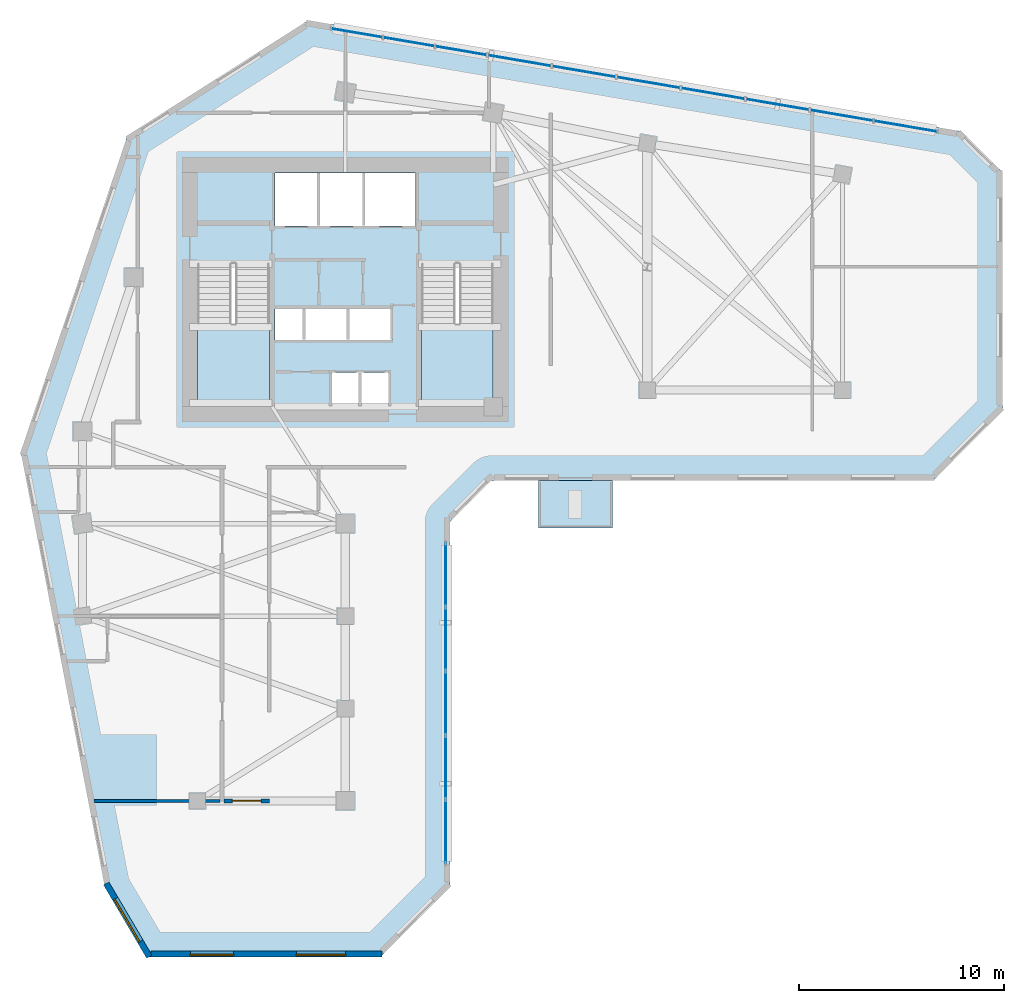
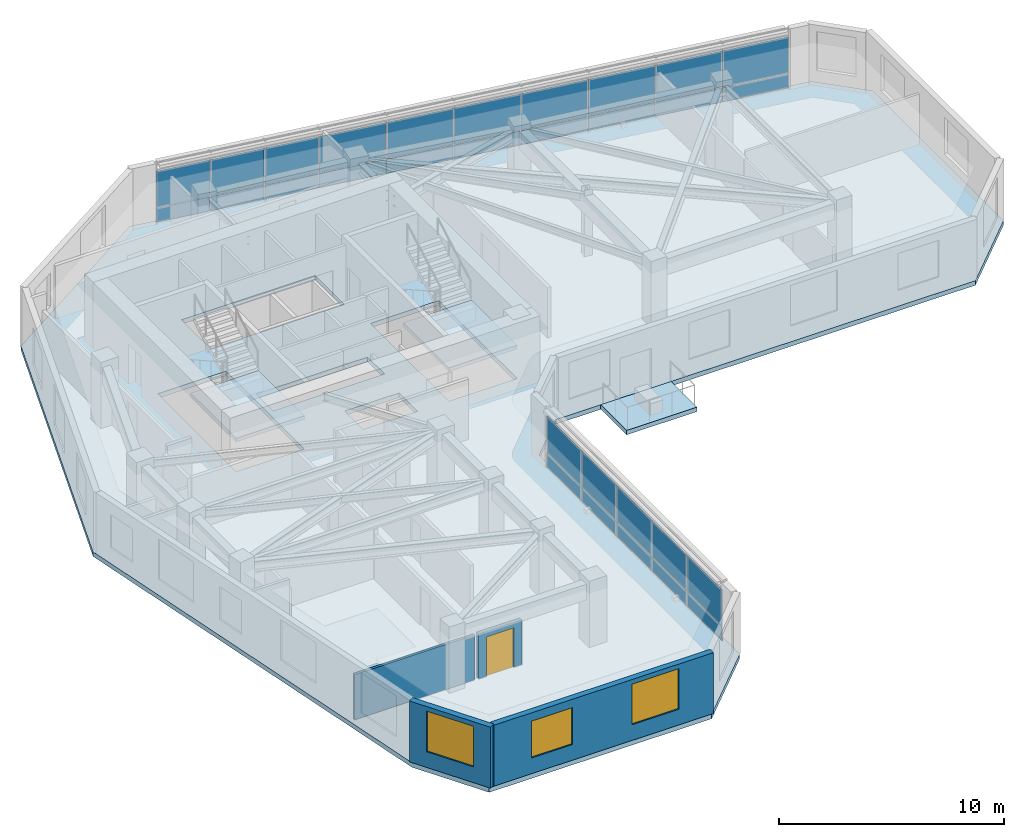
# One storey, part 4 of 12: 30 plates, 4 slabs, 4 walls, 3 windows, 1 door, 4 openings, 4 elements without a shape of their own.
"""IFC4 building model written with IfcOpenShell, lengths in metres."""

from ifc_helpers import new_model, si_unit, direction, frame, frame_2d, origin, place, context, subcontext, project, spatial, polyline, rectangle, outline, extrude, source, transform, mapped, material, layer, layer_set, type_object, element, fill, aggregate, save


model = new_model("IFC4")

# Units and contexts
model_context = context("Model", 3, precision=1e-05, world=origin(), true_north=direction((0.0, 1.0)))
body_context = subcontext(model_context, "Body", "Model", "MODEL_VIEW")
ifc_project = project(units=[si_unit("LENGTHUNIT", "METRE"), si_unit("AREAUNIT", "SQUARE_METRE"), si_unit("VOLUMEUNIT", "CUBIC_METRE"), si_unit("PLANEANGLEUNIT", "RADIAN"), si_unit("MASSUNIT", "GRAM", prefix="KILO")], contexts=[model_context])

# Site, building, storey
site_placement = place(None, origin())
site = spatial("IfcSite", under=ifc_project, at=site_placement, CompositionType="ELEMENT")
building_placement = place(site_placement, origin())
building = spatial("IfcBuilding", under=site, at=building_placement, Name="Calvemar Wedge Station Tower", CompositionType="ELEMENT")
storey_placement = place(building_placement, frame((0.0, 0.0, 135.800048828125)))
storey = spatial("IfcBuildingStorey", under=building, at=storey_placement, Name="L33", CompositionType="ELEMENT", Elevation=135.800048828125)

# Curtain wall, plates
ifc_material_1 = material(Name="Anodised aluminium 6063-T6", Category="aluminium")
curtain_wall_type = type_object("IfcCurtainWallType", Name="CW2", PredefinedType="NOTDEFINED", material=ifc_material_1)
curtain_wall_1_placement = place(storey_placement, origin())
curtain_wall_1 = element("IfcCurtainWall", 1, at=curtain_wall_1_placement, inside=storey, type_object=curtain_wall_type, Name="Storey L33 CW2 Recessed Unitised Curtain Wall 4", PredefinedType="NOTDEFINED")
ifc_material_2 = material(Name="Low-E laminated insulated glass", Category="glass")
ifc_layer_1 = layer(ifc_material_2, 0.028076171875)
ifc_layer_set_1 = layer_set([ifc_layer_1], Name="Low-E laminated insulated glass")
plate_type_1 = type_object("IfcPlateType", Name="CW2-GLZ", PredefinedType="CURTAIN_PANEL", material=ifc_layer_set_1)
plate_1_placement = place(storey_placement, frame((28.68603515625, 11.97998046875, 0.869873046875), z_axis=(0.0, 0.0, 1.0), x_axis=(0.0, 1.0, 0.0)))
plate_1 = element("IfcPlate", 2, at=plate_1_placement, type_object=plate_type_1, Name="CW2 vision glass panel 1", PredefinedType="CURTAIN_PANEL", context=body_context, shape_type="SweptSolid", body=[
    extrude(rectangle(XDim=3.08251953125, YDim=0.028076171875, at=frame_2d((1.541259765625, 0.0))), origin(), (0.0, 0.0, 1.0), 1.9599609375),
])
plate_2_placement = place(storey_placement, frame((28.68603515625, 15.098388671875, 0.869873046875), z_axis=(0.0, 0.0, 1.0), x_axis=(0.0, 1.0, 0.0)))
plate_2 = element("IfcPlate", 3, at=plate_2_placement, type_object=plate_type_1, Name="CW2 vision glass panel 2", PredefinedType="CURTAIN_PANEL", context=body_context, shape_type="SweptSolid", body=[
    extrude(rectangle(XDim=3.08251953125, YDim=0.028076171875, at=frame_2d((1.541259765625, 0.0))), origin(), (0.0, 0.0, 1.0), 1.9599609375),
])
plate_3_placement = place(storey_placement, frame((28.68603515625, 18.216796875, 0.869873046875), z_axis=(0.0, 0.0, 1.0), x_axis=(0.0, 1.0, 0.0)))
plate_3 = element("IfcPlate", 4, at=plate_3_placement, type_object=plate_type_1, Name="CW2 vision glass panel 3", PredefinedType="CURTAIN_PANEL", context=body_context, shape_type="SweptSolid", body=[
    extrude(rectangle(XDim=3.08251953125, YDim=0.028076171875, at=frame_2d((1.541259765625, 0.0))), origin(), (0.0, 0.0, 1.0), 1.9599609375),
])
plate_4_placement = place(storey_placement, frame((28.68603515625, 21.335205078125, 0.869873046875), z_axis=(0.0, 0.0, 1.0), x_axis=(0.0, 1.0, 0.0)))
plate_4 = element("IfcPlate", 5, at=plate_4_placement, type_object=plate_type_1, Name="CW2 vision glass panel 4", PredefinedType="CURTAIN_PANEL", context=body_context, shape_type="SweptSolid", body=[
    extrude(rectangle(XDim=3.08251953125, YDim=0.028076171875, at=frame_2d((1.541259765625, 0.0))), origin(), (0.0, 0.0, 1.0), 1.9599609375),
])
plate_5_placement = place(storey_placement, frame((28.68603515625, 24.45361328125, 0.869873046875), z_axis=(0.0, 0.0, 1.0), x_axis=(0.0, 1.0, 0.0)))
plate_5 = element("IfcPlate", 6, at=plate_5_placement, type_object=plate_type_1, Name="CW2 vision glass panel 5", PredefinedType="CURTAIN_PANEL", context=body_context, shape_type="SweptSolid", body=[
    extrude(rectangle(XDim=3.08251953125, YDim=0.028076171875, at=frame_2d((1.541259765625, 0.0))), origin(), (0.0, 0.0, 1.0), 1.9599609375),
])

curtain_wall_2_placement = place(storey_placement, origin())
curtain_wall_2 = element("IfcCurtainWall", 7, at=curtain_wall_2_placement, inside=storey, type_object=curtain_wall_type, Name="Storey L33 CW2 Recessed Unitised Curtain Wall 10", PredefinedType="NOTDEFINED")
plate_6_placement = place(storey_placement, frame((52.615478515625, 47.580322265625, 0.869873046875), z_axis=(0.0, 0.0, 1.0), x_axis=(-0.985834651401, 0.167720124306, 0.0)))
plate_6 = element("IfcPlate", 8, at=plate_6_placement, type_object=plate_type_1, Name="CW2 vision glass panel 1", PredefinedType="CURTAIN_PANEL", context=body_context, shape_type="SweptSolid", body=[
    extrude(rectangle(XDim=3.122314453125, YDim=0.028076171875, at=frame_2d((1.56103515625, 0.0))), origin(), (0.0, 0.0, 1.0), 1.9599609375),
])
plate_7_placement = place(storey_placement, frame((49.501953125, 48.10986328125, 0.869873046875), z_axis=(0.0, 0.0, 1.0), x_axis=(-0.9858453793, 0.167657055066, 0.0)))
plate_7 = element("IfcPlate", 9, at=plate_7_placement, type_object=plate_type_1, Name="CW2 vision glass panel 2", PredefinedType="CURTAIN_PANEL", context=body_context, shape_type="SweptSolid", body=[
    extrude(rectangle(XDim=3.1220703125, YDim=0.028076171875, at=frame_2d((1.56103515625, 0.0))), origin(), (0.0, 0.0, 1.0), 1.9599609375),
])
plate_8_placement = place(storey_placement, frame((46.388427734375, 48.639404296875, 0.869873046875), z_axis=(0.0, 0.0, 1.0), x_axis=(-0.985850081306, 0.167629404309, 0.0)))
plate_8 = element("IfcPlate", 10, at=plate_8_placement, type_object=plate_type_1, Name="CW2 vision glass panel 3", PredefinedType="CURTAIN_PANEL", context=body_context, shape_type="SweptSolid", body=[
    extrude(rectangle(XDim=3.148681640625, YDim=0.028076171875, at=frame_2d((1.57421875, 0.0))), origin(), (0.0, 0.0, 1.0), 1.9599609375),
])
plate_9_placement = place(storey_placement, frame((43.248779296875, 49.17333984375, 0.869873046875), z_axis=(0.0, 0.0, 1.0), x_axis=(-0.985835084584, 0.167717578099, 0.0)))
plate_9 = element("IfcPlate", 11, at=plate_9_placement, type_object=plate_type_1, Name="CW2 vision glass panel 4", PredefinedType="CURTAIN_PANEL", context=body_context, shape_type="SweptSolid", body=[
    extrude(rectangle(XDim=3.148681640625, YDim=0.028076171875, at=frame_2d((1.57421875, 0.0))), origin(), (0.0, 0.0, 1.0), 1.9599609375),
])
plate_10_placement = place(storey_placement, frame((40.109130859375, 49.707275390625, 0.869873046875), z_axis=(0.0, 0.0, 1.0), x_axis=(-0.985847902369, 0.167642218414, 0.0)))
plate_10 = element("IfcPlate", 12, at=plate_10_placement, type_object=plate_type_1, Name="CW2 vision glass panel 5", PredefinedType="CURTAIN_PANEL", context=body_context, shape_type="SweptSolid", body=[
    extrude(rectangle(XDim=3.148681640625, YDim=0.028076171875, at=frame_2d((1.57421875, 0.0))), origin(), (0.0, 0.0, 1.0), 1.9599609375),
])
plate_11_placement = place(storey_placement, frame((36.969482421875, 50.2412109375, 0.869873046875), z_axis=(0.0, 0.0, 1.0), x_axis=(-0.985847902369, 0.167642218414, 0.0)))
plate_11 = element("IfcPlate", 13, at=plate_11_placement, type_object=plate_type_1, Name="CW2 vision glass panel 6", PredefinedType="CURTAIN_PANEL", context=body_context, shape_type="SweptSolid", body=[
    extrude(rectangle(XDim=3.148681640625, YDim=0.028076171875, at=frame_2d((1.57421875, 0.0))), origin(), (0.0, 0.0, 1.0), 1.9599609375),
])
plate_12_placement = place(storey_placement, frame((33.830078125, 50.775146484375, 0.869873046875), z_axis=(0.0, 0.0, 1.0), x_axis=(-0.985850081306, 0.167629404309, 0.0)))
plate_12 = element("IfcPlate", 14, at=plate_12_placement, type_object=plate_type_1, Name="CW2 vision glass panel 7", PredefinedType="CURTAIN_PANEL", context=body_context, shape_type="SweptSolid", body=[
    extrude(rectangle(XDim=3.148681640625, YDim=0.028076171875, at=frame_2d((1.57421875, 0.0))), origin(), (0.0, 0.0, 1.0), 1.9599609375),
])
plate_13_placement = place(storey_placement, frame((30.6904296875, 51.30908203125, 0.869873046875), z_axis=(0.0, 0.0, 1.0), x_axis=(-0.985852344868, 0.167616091467, 0.0)))
plate_13 = element("IfcPlate", 15, at=plate_13_placement, type_object=plate_type_1, Name="CW2 vision glass panel 8", PredefinedType="CURTAIN_PANEL", context=body_context, shape_type="SweptSolid", body=[
    extrude(rectangle(XDim=2.534423828125, YDim=0.028076171875, at=frame_2d((1.26708984375, 0.0))), origin(), (0.0, 0.0, 1.0), 1.9599609375),
])
plate_14_placement = place(storey_placement, frame((28.156494140625, 51.739990234375, 0.869873046875), z_axis=(0.0, 0.0, 1.0), x_axis=(-0.985852344868, 0.167616091467, 0.0)))
plate_14 = element("IfcPlate", 16, at=plate_14_placement, type_object=plate_type_1, Name="CW2 vision glass panel 9", PredefinedType="CURTAIN_PANEL", context=body_context, shape_type="SweptSolid", body=[
    extrude(rectangle(XDim=2.534423828125, YDim=0.028076171875, at=frame_2d((1.26708984375, 0.0))), origin(), (0.0, 0.0, 1.0), 1.9599609375),
])
plate_15_placement = place(storey_placement, frame((25.622314453125, 52.1708984375, 0.869873046875), z_axis=(0.0, 0.0, 1.0), x_axis=(-0.985833712673, 0.16772564192, 0.0)))
plate_15 = element("IfcPlate", 17, at=plate_15_placement, type_object=plate_type_1, Name="CW2 vision glass panel 10", PredefinedType="CURTAIN_PANEL", context=body_context, shape_type="SweptSolid", body=[
    extrude(rectangle(XDim=2.5341796875, YDim=0.028076171875, at=frame_2d((1.26708984375, 0.0))), origin(), (0.0, 0.0, 1.0), 1.9599609375),
])

# Plate
ifc_material_3 = material(Name="Oxidized bronze aluminium spandrel panel 5005-H24", Category="aluminium")
ifc_layer_2 = layer(ifc_material_3, 0.0400390625)
ifc_layer_set_2 = layer_set([ifc_layer_2], Name="Oxidized bronze aluminium spandrel panel 5005-H24")
plate_type_2 = type_object("IfcPlateType", Name="CW2-SPD", PredefinedType="SHEET", material=ifc_layer_set_2)
plate_16_placement = place(storey_placement, frame((28.68603515625, 11.97998046875, 0.079833984375), z_axis=(0.0, 0.0, 1.0), x_axis=(0.0, 1.0, 0.0)))
plate_16 = element("IfcPlate", 18, at=plate_16_placement, type_object=plate_type_2, Name="CW2 bronze spandrel panel 1", PredefinedType="SHEET", context=body_context, shape_type="SweptSolid", body=[
    extrude(rectangle(XDim=3.08251953125, YDim=0.0400390625, at=frame_2d((1.541259765625, 0.0))), origin(), (0.0, 0.0, 1.0), 0.75),
])

plate_17_placement = place(storey_placement, frame((28.68603515625, 15.098388671875, 0.079833984375), z_axis=(0.0, 0.0, 1.0), x_axis=(0.0, 1.0, 0.0)))
plate_17 = element("IfcPlate", 19, at=plate_17_placement, type_object=plate_type_2, Name="CW2 bronze spandrel panel 2", PredefinedType="SHEET", context=body_context, shape_type="SweptSolid", body=[
    extrude(rectangle(XDim=3.08251953125, YDim=0.0400390625, at=frame_2d((1.541259765625, 0.0))), origin(), (0.0, 0.0, 1.0), 0.75),
])

plate_18_placement = place(storey_placement, frame((28.68603515625, 18.216796875, 0.079833984375), z_axis=(0.0, 0.0, 1.0), x_axis=(0.0, 1.0, 0.0)))
plate_18 = element("IfcPlate", 20, at=plate_18_placement, type_object=plate_type_2, Name="CW2 bronze spandrel panel 3", PredefinedType="SHEET", context=body_context, shape_type="SweptSolid", body=[
    extrude(rectangle(XDim=3.08251953125, YDim=0.0400390625, at=frame_2d((1.541259765625, 0.0))), origin(), (0.0, 0.0, 1.0), 0.75),
])

plate_19_placement = place(storey_placement, frame((28.68603515625, 21.335205078125, 0.079833984375), z_axis=(0.0, 0.0, 1.0), x_axis=(0.0, 1.0, 0.0)))
plate_19 = element("IfcPlate", 21, at=plate_19_placement, type_object=plate_type_2, Name="CW2 bronze spandrel panel 4", PredefinedType="SHEET", context=body_context, shape_type="SweptSolid", body=[
    extrude(rectangle(XDim=3.08251953125, YDim=0.0400390625, at=frame_2d((1.541259765625, 0.0))), origin(), (0.0, 0.0, 1.0), 0.75),
])

plate_20_placement = place(storey_placement, frame((28.68603515625, 24.45361328125, 0.079833984375), z_axis=(0.0, 0.0, 1.0), x_axis=(0.0, 1.0, 0.0)))
plate_20 = element("IfcPlate", 22, at=plate_20_placement, type_object=plate_type_2, Name="CW2 bronze spandrel panel 5", PredefinedType="SHEET", context=body_context, shape_type="SweptSolid", body=[
    extrude(rectangle(XDim=3.08251953125, YDim=0.0400390625, at=frame_2d((1.541259765625, 0.0))), origin(), (0.0, 0.0, 1.0), 0.75),
])

aggregate(curtain_wall_1, [plate_16, plate_1, plate_17, plate_2, plate_18, plate_3, plate_19, plate_4, plate_20, plate_5])

plate_21_placement = place(storey_placement, frame((52.615478515625, 47.580322265625, 0.079833984375), z_axis=(0.0, 0.0, 1.0), x_axis=(-0.985834651401, 0.167720124306, 0.0)))
plate_21 = element("IfcPlate", 23, at=plate_21_placement, type_object=plate_type_2, Name="CW2 bronze spandrel panel 1", PredefinedType="SHEET", context=body_context, shape_type="SweptSolid", body=[
    extrude(rectangle(XDim=3.122314453125, YDim=0.0400390625, at=frame_2d((1.56103515625, 0.0))), origin(), (0.0, 0.0, 1.0), 0.75),
])

plate_22_placement = place(storey_placement, frame((49.501953125, 48.10986328125, 0.079833984375), z_axis=(0.0, 0.0, 1.0), x_axis=(-0.9858453793, 0.167657055066, 0.0)))
plate_22 = element("IfcPlate", 24, at=plate_22_placement, type_object=plate_type_2, Name="CW2 bronze spandrel panel 2", PredefinedType="SHEET", context=body_context, shape_type="SweptSolid", body=[
    extrude(rectangle(XDim=3.1220703125, YDim=0.0400390625, at=frame_2d((1.56103515625, 0.0))), origin(), (0.0, 0.0, 1.0), 0.75),
])

plate_23_placement = place(storey_placement, frame((46.388427734375, 48.639404296875, 0.079833984375), z_axis=(0.0, 0.0, 1.0), x_axis=(-0.985850081306, 0.167629404309, 0.0)))
plate_23 = element("IfcPlate", 25, at=plate_23_placement, type_object=plate_type_2, Name="CW2 bronze spandrel panel 3", PredefinedType="SHEET", context=body_context, shape_type="SweptSolid", body=[
    extrude(rectangle(XDim=3.148681640625, YDim=0.0400390625, at=frame_2d((1.57421875, 0.0))), origin(), (0.0, 0.0, 1.0), 0.75),
])

plate_24_placement = place(storey_placement, frame((43.248779296875, 49.17333984375, 0.079833984375), z_axis=(0.0, 0.0, 1.0), x_axis=(-0.985835084584, 0.167717578099, 0.0)))
plate_24 = element("IfcPlate", 26, at=plate_24_placement, type_object=plate_type_2, Name="CW2 bronze spandrel panel 4", PredefinedType="SHEET", context=body_context, shape_type="SweptSolid", body=[
    extrude(rectangle(XDim=3.148681640625, YDim=0.0400390625, at=frame_2d((1.57421875, 0.0))), origin(), (0.0, 0.0, 1.0), 0.75),
])

plate_25_placement = place(storey_placement, frame((40.109130859375, 49.707275390625, 0.079833984375), z_axis=(0.0, 0.0, 1.0), x_axis=(-0.985847902369, 0.167642218414, 0.0)))
plate_25 = element("IfcPlate", 27, at=plate_25_placement, type_object=plate_type_2, Name="CW2 bronze spandrel panel 5", PredefinedType="SHEET", context=body_context, shape_type="SweptSolid", body=[
    extrude(rectangle(XDim=3.148681640625, YDim=0.0400390625, at=frame_2d((1.57421875, 0.0))), origin(), (0.0, 0.0, 1.0), 0.75),
])

plate_26_placement = place(storey_placement, frame((36.969482421875, 50.2412109375, 0.079833984375), z_axis=(0.0, 0.0, 1.0), x_axis=(-0.985847902369, 0.167642218414, 0.0)))
plate_26 = element("IfcPlate", 28, at=plate_26_placement, type_object=plate_type_2, Name="CW2 bronze spandrel panel 6", PredefinedType="SHEET", context=body_context, shape_type="SweptSolid", body=[
    extrude(rectangle(XDim=3.148681640625, YDim=0.0400390625, at=frame_2d((1.57421875, 0.0))), origin(), (0.0, 0.0, 1.0), 0.75),
])

plate_27_placement = place(storey_placement, frame((33.830078125, 50.775146484375, 0.079833984375), z_axis=(0.0, 0.0, 1.0), x_axis=(-0.985850081306, 0.167629404309, 0.0)))
plate_27 = element("IfcPlate", 29, at=plate_27_placement, type_object=plate_type_2, Name="CW2 bronze spandrel panel 7", PredefinedType="SHEET", context=body_context, shape_type="SweptSolid", body=[
    extrude(rectangle(XDim=3.148681640625, YDim=0.0400390625, at=frame_2d((1.57421875, 0.0))), origin(), (0.0, 0.0, 1.0), 0.75),
])

plate_28_placement = place(storey_placement, frame((30.6904296875, 51.30908203125, 0.079833984375), z_axis=(0.0, 0.0, 1.0), x_axis=(-0.985852344868, 0.167616091467, 0.0)))
plate_28 = element("IfcPlate", 30, at=plate_28_placement, type_object=plate_type_2, Name="CW2 bronze spandrel panel 8", PredefinedType="SHEET", context=body_context, shape_type="SweptSolid", body=[
    extrude(rectangle(XDim=2.534423828125, YDim=0.0400390625, at=frame_2d((1.26708984375, 0.0))), origin(), (0.0, 0.0, 1.0), 0.75),
])

plate_29_placement = place(storey_placement, frame((28.156494140625, 51.739990234375, 0.079833984375), z_axis=(0.0, 0.0, 1.0), x_axis=(-0.985852344868, 0.167616091467, 0.0)))
plate_29 = element("IfcPlate", 31, at=plate_29_placement, type_object=plate_type_2, Name="CW2 bronze spandrel panel 9", PredefinedType="SHEET", context=body_context, shape_type="SweptSolid", body=[
    extrude(rectangle(XDim=2.534423828125, YDim=0.0400390625, at=frame_2d((1.26708984375, 0.0))), origin(), (0.0, 0.0, 1.0), 0.75),
])

plate_30_placement = place(storey_placement, frame((25.622314453125, 52.1708984375, 0.079833984375), z_axis=(0.0, 0.0, 1.0), x_axis=(-0.985833712673, 0.16772564192, 0.0)))
plate_30 = element("IfcPlate", 32, at=plate_30_placement, type_object=plate_type_2, Name="CW2 bronze spandrel panel 10", PredefinedType="SHEET", context=body_context, shape_type="SweptSolid", body=[
    extrude(rectangle(XDim=2.5341796875, YDim=0.0400390625, at=frame_2d((1.26708984375, 0.0))), origin(), (0.0, 0.0, 1.0), 0.75),
])

aggregate(curtain_wall_2, [plate_21, plate_6, plate_22, plate_7, plate_23, plate_8, plate_24, plate_9, plate_25, plate_10, plate_26, plate_11, plate_27, plate_12, plate_28, plate_13, plate_29, plate_14, plate_30, plate_15])

# Stair, slab
ifc_material_4 = material(Name="Concrete C45", Category="concrete")
stair_type = type_object("IfcStairType", Name="ST-TYPE-3600", PredefinedType="HALF_TURN_STAIR", material=ifc_material_4)
stair_1_placement = place(storey_placement, origin())
stair_1 = element("IfcStair", 33, at=stair_1_placement, inside=storey, type_object=stair_type, Name="L33 Pressurized Core Exit Stair ST-C1", PredefinedType="HALF_TURN_STAIR")
ifc_layer_3 = layer(ifc_material_4, 0.199951171875)
ifc_layer_set_3 = layer_set([ifc_layer_3], Name="Concrete C45")
slab_type_1 = type_object("IfcSlabType", Name="SL-STAIR-LND-200", PredefinedType="LANDING", material=ifc_layer_set_3)
slab_1_placement = place(storey_placement, frame((0.0, 0.0, 1.599853515625)))
slab_1 = element("IfcSlab", 34, at=slab_1_placement, type_object=slab_type_1, Name="ST-C1 landing 1", PredefinedType="LANDING", context=body_context, shape_type="SweptSolid", body=[
    extrude(outline(polyline([(16.60009765625, 38.25), (16.60009765625, 34.199951171875), (20.10009765625, 34.199951171875), (20.10009765625, 38.25), (16.60009765625, 38.25)])), origin(), (0.0, 0.0, 1.0), 0.2001953125),
])
aggregate(stair_1, [slab_1])

stair_2_placement = place(storey_placement, origin())
stair_2 = element("IfcStair", 35, at=stair_2_placement, inside=storey, type_object=stair_type, Name="L33 Pressurized Core Exit Stair ST-C2", PredefinedType="HALF_TURN_STAIR")
slab_2_placement = place(storey_placement, frame((0.0, 0.0, 1.599853515625)))
slab_2 = element("IfcSlab", 36, at=slab_2_placement, type_object=slab_type_1, Name="ST-C2 landing 1", PredefinedType="LANDING", context=body_context, shape_type="SweptSolid", body=[
    extrude(outline(polyline([(27.5, 38.25), (27.5, 34.199951171875), (31.0, 34.199951171875), (31.0, 38.25), (27.5, 38.25)])), origin(), (0.0, 0.0, 1.0), 0.2001953125),
])
aggregate(stair_2, [slab_2])

# Slabs
ifc_layer_4 = layer(ifc_material_4, 0.239990234375)
ifc_layer_set_4 = layer_set([ifc_layer_4], Name="Concrete C45")
slab_type_2 = type_object("IfcSlabType", Name="SL-TERR-240", PredefinedType="FLOOR", material=ifc_layer_set_4)
slab_3_placement = place(storey_placement, frame((0.0, 0.0, -0.239990234375)))
element("IfcSlab", 37, at=slab_3_placement, inside=storey, type_object=slab_type_2, Name="Storey L33 Planted Spiral Terrace Slab", PredefinedType="FLOOR", context=body_context, shape_type="SweptSolid", body=[
    extrude(outline(polyline([(33.199951171875, 30.592041015625), (33.199951171875, 28.2919921875), (36.800048828125, 28.2919921875), (36.800048828125, 30.592041015625), (33.199951171875, 30.592041015625)])), origin(), (0.0, 0.0, 1.0), 0.239990234375),
])
ifc_material_5 = material(Name="Concrete C50", Category="concrete")
ifc_layer_5 = layer(ifc_material_5, 0.25)
ifc_layer_set_5 = layer_set([ifc_layer_5], Name="Concrete C50")
slab_type_3 = type_object("IfcSlabType", Name="SL-TYP-250", PredefinedType="FLOOR", material=ifc_layer_set_5)
slab_4_placement = place(storey_placement, frame((0.0, 0.0, -0.25)))
element("IfcSlab", 38, at=slab_4_placement, inside=storey, type_object=slab_type_3, Name="Storey L33 Structural Floor Slab", PredefinedType="FLOOR", context=body_context, shape_type="SweptSolid", body=[
    extrude(outline(polyline([(8.0, 32.0), (12.095947265625, 10.800048828125), (14.095947265625, 7.39990234375), (25.49609375, 7.39990234375), (28.89599609375, 10.800048828125), (28.89599609375, 28.592041015625), (30.89599609375, 30.592041015625), (52.39990234375, 30.592041015625), (55.800048828125, 33.991943359375), (55.800048828125, 45.592041015625), (53.800048828125, 47.592041015625), (22.0, 53.0), (13.199951171875, 47.39990234375), (8.0, 32.0)]), holes=[polyline([(24.52001953125, 35.85009765625), (24.510009765625, 35.85009765625), (23.1201171875, 35.85009765625), (23.1201171875, 34.219970703125), (24.510009765625, 34.219970703125), (24.52001953125, 34.219970703125), (25.909912109375, 34.219970703125), (25.909912109375, 35.85009765625), (24.52001953125, 35.85009765625)]), polyline([(16.60009765625, 34.199951171875), (20.10009765625, 34.199951171875), (20.10009765625, 41.14990234375), (16.60009765625, 41.14990234375), (16.60009765625, 34.199951171875)]), polyline([(27.5, 34.199951171875), (31.0, 34.199951171875), (31.0, 41.14990234375), (27.5, 41.14990234375), (27.5, 34.199951171875)]), polyline([(21.800048828125, 38.949951171875), (21.7900390625, 38.949951171875), (20.3798828125, 38.949951171875), (20.3798828125, 37.449951171875), (21.7900390625, 37.449951171875), (21.800048828125, 37.449951171875), (23.929931640625, 37.449951171875), (23.93994140625, 37.449951171875), (26.080078125, 37.449951171875), (26.080078125, 38.949951171875), (23.93994140625, 38.949951171875), (23.929931640625, 38.949951171875), (21.800048828125, 38.949951171875)]), polyline([(27.219970703125, 43.0), (27.219970703125, 45.580078125), (20.3798828125, 45.580078125), (20.3798828125, 43.0), (27.219970703125, 43.0)])]), origin(), (0.0, 0.0, 1.0), 0.25),
])

# Wall, opening, door
ifc_material_6 = material(Name="Double-stud fire-rated corridor partition")
ifc_layer_6 = layer(ifc_material_6, 0.179931640625)
ifc_layer_set_6 = layer_set([ifc_layer_6], Name="Double-stud fire-rated corridor partition")
wall_type_1 = type_object("IfcWallType", Name="W-CORR-180", PredefinedType="PARTITIONING", material=ifc_layer_set_6)
wall_1_placement = place(storey_placement, frame((20.10009765625, 15.0, 0.0), z_axis=(0.0, 0.0, 1.0), x_axis=(-1.0, 0.0, 0.0)))
wall_1 = element("IfcWall", 39, at=wall_1_placement, inside=storey, type_object=wall_type_1, Name="Storey L33 Interior Partition WL-L33-028", PredefinedType="PARTITIONING", context=body_context, shape_type="SweptSolid", body=[
    extrude(rectangle(XDim=2.2060546875, YDim=0.179931640625, at=frame_2d((1.10302734375, 0.0))), origin(), (0.0, 0.0, 1.0), 2.44189453125),
])
shared_shape_1 = source(origin(), body_context, "Body", "SweptSolid", [
    extrude(rectangle(XDim=1.39990234375, YDim=2.14990234375, at=frame_2d((0.699951171875, 1.074951171875))), frame((0.0, 0.10009765625, 0.0), z_axis=(0.0, -1.0, 0.0), x_axis=(1.0, 0.0, 0.0)), (0.0, 0.0, 1.0), 0.199951171875),
])
opening_1_placement = place(wall_1_placement, frame((0.403076171875, 0.0, 0.0)))
opening_1 = element("IfcOpeningElement", 40, at=opening_1_placement, cuts=wall_1, Name="Opening DD-140", PredefinedType="OPENING", context=body_context, shape_type="MappedRepresentation", body=[
    mapped(shared_shape_1, transform((0.0, 0.0, 0.0), scale=1.0)),
])
ifc_material_7 = material(Name="Double-leaf corridor acoustic fire door EI 60")
door_type = type_object("IfcDoorType", Name="DR-DBL-1400", OperationType="DOUBLE_DOOR_SINGLE_SWING", PredefinedType="DOOR", material=ifc_material_7)
shared_shape_2 = source(origin(), body_context, "Body", "SweptSolid", [
    extrude(rectangle(XDim=1.39990234375, YDim=2.14990234375, at=frame_2d((0.699951171875, 1.074951171875))), frame((0.0, 0.02490234375, 0.0), z_axis=(0.0, -1.0, 0.0), x_axis=(1.0, 0.0, 0.0)), (0.0, 0.0, 1.0), 0.050048828125),
])
door_placement = place(opening_1_placement, origin())
door = element("IfcDoor", 41, at=door_placement, inside=storey, type_object=door_type, Name="L33 Executive Sky Lounge Door", OperationType="SINGLE_SWING_LEFT", OverallHeight=2.14990234375, OverallWidth=1.39990234375, PredefinedType="DOOR", context=body_context, shape_type="MappedRepresentation", body=[
    mapped(shared_shape_2, transform((0.0, 0.0, 0.0), scale=1.0)),
])
fill(opening_1, door)

# Wall, opening, window
ifc_material_8 = material(Name="Precast concrete C45", Category="concrete")
ifc_layer_7 = layer(ifc_material_8, 0.300048828125)
ifc_layer_set_7 = layer_set([ifc_layer_7], Name="Precast concrete C45")
wall_type_2 = type_object("IfcWallType", Name="W-EXT-GFRC-300", PredefinedType="SOLIDWALL", material=ifc_layer_set_7)
wall_2_placement = place(storey_placement, frame((12.162353515625, 10.983154296875, 0.0), z_axis=(0.0, 0.0, 1.0), x_axis=(0.506996893234, -0.861947881401, 0.0)))
wall_2 = element("IfcWall", 42, at=wall_2_placement, inside=storey, type_object=wall_type_2, Name="Storey L33 Bronze GFRC Exterior Wall 1", PredefinedType="SOLIDWALL", context=body_context, shape_type="SweptSolid", body=[
    extrude(rectangle(XDim=4.133056640625, YDim=0.300048828125, at=frame_2d((2.06640625, 0.0))), origin(), (0.0, 0.0, 1.0), 3.300048828125),
])
shared_shape_3 = source(origin(), body_context, "Body", "SweptSolid", [
    extrude(rectangle(XDim=2.39990234375, YDim=2.199951171875, at=frame_2d((1.199951171875, 1.10009765625))), frame((0.0, 0.16015625, 0.0), z_axis=(0.0, -1.0, 0.0), x_axis=(1.0, 0.0, 0.0)), (0.0, 0.0, 1.0), 0.320068359375),
])
opening_2_placement = place(wall_2_placement, frame((0.866943359375, 0.0, 0.85009765625)))
opening_2 = element("IfcOpeningElement", 43, at=opening_2_placement, cuts=wall_2, Name="Opening W1", PredefinedType="OPENING", context=body_context, shape_type="MappedRepresentation", body=[
    mapped(shared_shape_3, transform((0.0, 0.0, 0.0), scale=1.0)),
])
window_type_1 = type_object("IfcWindowType", Name="WIN-EXT-1", PartitioningType="SINGLE_PANEL", PredefinedType="WINDOW", material=ifc_material_2)
shared_shape_4 = source(origin(), body_context, "Body", "SweptSolid", [
    extrude(rectangle(XDim=2.39990234375, YDim=2.199951171875, at=frame_2d((1.199951171875, 1.10009765625))), frame((0.0, -0.014892578125, 0.0), z_axis=(0.0, -1.0, 0.0), x_axis=(1.0, 0.0, 0.0)), (0.0, 0.0, 1.0), 0.06005859375),
])
window_1_placement = place(opening_2_placement, origin())
window_1 = element("IfcWindow", 44, at=window_1_placement, inside=storey, type_object=window_type_1, Name="Storey L33 Recessed Window 1.1", OverallHeight=2.199951171875, OverallWidth=2.39990234375, PartitioningType="SINGLE_PANEL", PredefinedType="WINDOW", context=body_context, shape_type="MappedRepresentation", body=[
    mapped(shared_shape_4, transform((0.0, 0.0, 0.0), scale=1.0)),
])
fill(opening_2, window_1)

# Wall, openings, windows
wall_3_placement = place(storey_placement, frame((14.341796875, 7.550048828125, 0.0), z_axis=(0.0, 0.0, 1.0), x_axis=(1.0, 0.0, 0.0)))
wall_3 = element("IfcWall", 45, at=wall_3_placement, inside=storey, type_object=wall_type_2, Name="Storey L33 Bronze GFRC Exterior Wall 2", PredefinedType="SOLIDWALL", context=body_context, shape_type="SweptSolid", body=[
    extrude(rectangle(XDim=11.2421875, YDim=0.300048828125, at=frame_2d((5.62109375, 0.0))), origin(), (0.0, 0.0, 1.0), 3.300048828125),
])
shared_shape_5 = source(origin(), body_context, "Body", "SweptSolid", [
    extrude(rectangle(XDim=2.10009765625, YDim=2.0, at=frame_2d((1.050048828125, 1.0))), frame((0.0, 0.16015625, 0.0), z_axis=(0.0, -1.0, 0.0), x_axis=(1.0, 0.0, 0.0)), (0.0, 0.0, 1.0), 0.320068359375),
])
opening_3_placement = place(wall_3_placement, frame((1.9208984375, 0.0, 0.85009765625)))
opening_3 = element("IfcOpeningElement", 46, at=opening_3_placement, cuts=wall_3, Name="Opening W4", PredefinedType="OPENING", context=body_context, shape_type="MappedRepresentation", body=[
    mapped(shared_shape_5, transform((0.0, 0.0, 0.0), scale=1.0)),
])
opening_4_placement = place(wall_3_placement, frame((7.072021484375, 0.0, 0.85009765625)))
opening_4 = element("IfcOpeningElement", 47, at=opening_4_placement, cuts=wall_3, Name="Opening W1", PredefinedType="OPENING", context=body_context, shape_type="MappedRepresentation", body=[
    mapped(shared_shape_3, transform((0.0, 0.0, 0.0), scale=1.0)),
])
window_type_2 = type_object("IfcWindowType", Name="WIN-EXT-4", PartitioningType="SINGLE_PANEL", PredefinedType="WINDOW", material=ifc_material_2)
shared_shape_6 = source(origin(), body_context, "Body", "SweptSolid", [
    extrude(rectangle(XDim=2.10009765625, YDim=2.0, at=frame_2d((1.050048828125, 1.0))), frame((0.0, -0.014892578125, 0.0), z_axis=(0.0, -1.0, 0.0), x_axis=(1.0, 0.0, 0.0)), (0.0, 0.0, 1.0), 0.06005859375),
])
window_2_placement = place(opening_3_placement, origin())
window_2 = element("IfcWindow", 48, at=window_2_placement, inside=storey, type_object=window_type_2, Name="Storey L33 Recessed Window 2.1", OverallHeight=2.0, OverallWidth=2.10009765625, PartitioningType="SINGLE_PANEL", PredefinedType="WINDOW", context=body_context, shape_type="MappedRepresentation", body=[
    mapped(shared_shape_6, transform((0.0, 0.0, 0.0), scale=1.0)),
])
fill(opening_3, window_2)
window_3_placement = place(opening_4_placement, origin())
window_3 = element("IfcWindow", 49, at=window_3_placement, inside=storey, type_object=window_type_1, Name="Storey L33 Recessed Window 2.2", OverallHeight=2.199951171875, OverallWidth=2.39990234375, PartitioningType="SINGLE_PANEL", PredefinedType="WINDOW", context=body_context, shape_type="MappedRepresentation", body=[
    mapped(shared_shape_4, transform((0.0, 0.0, 0.0), scale=1.0)),
])
fill(opening_4, window_3)

# Wall
ifc_material_9 = material(Name="Insulated acoustic gypsum stud partition")
ifc_layer_8 = layer(ifc_material_9, 0.125)
ifc_layer_set_8 = layer_set([ifc_layer_8], Name="Insulated acoustic gypsum stud partition")
wall_type_3 = type_object("IfcWallType", Name="W-PART-125", PredefinedType="PARTITIONING", material=ifc_layer_set_8)
wall_4_placement = place(storey_placement, frame((17.7060546875, 15.0, 0.0), z_axis=(0.0, 0.0, 1.0), x_axis=(-1.0, 0.0, 0.0)))
element("IfcWall", 50, at=wall_4_placement, inside=storey, type_object=wall_type_3, Name="Storey L33 Interior Partition WL-L33-035", PredefinedType="PARTITIONING", context=body_context, shape_type="SweptSolid", body=[
    extrude(rectangle(XDim=6.151611328125, YDim=0.125, at=frame_2d((3.07568359375, 0.0))), origin(), (0.0, 0.0, 1.0), 2.44189453125),
])

save(model, "model.ifc")
